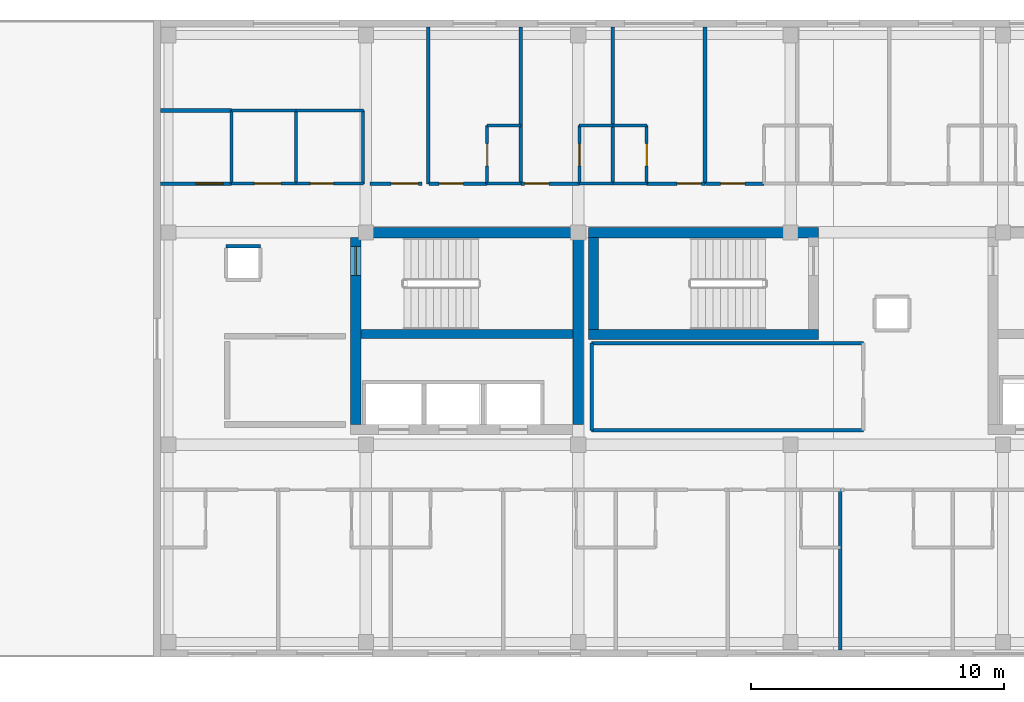
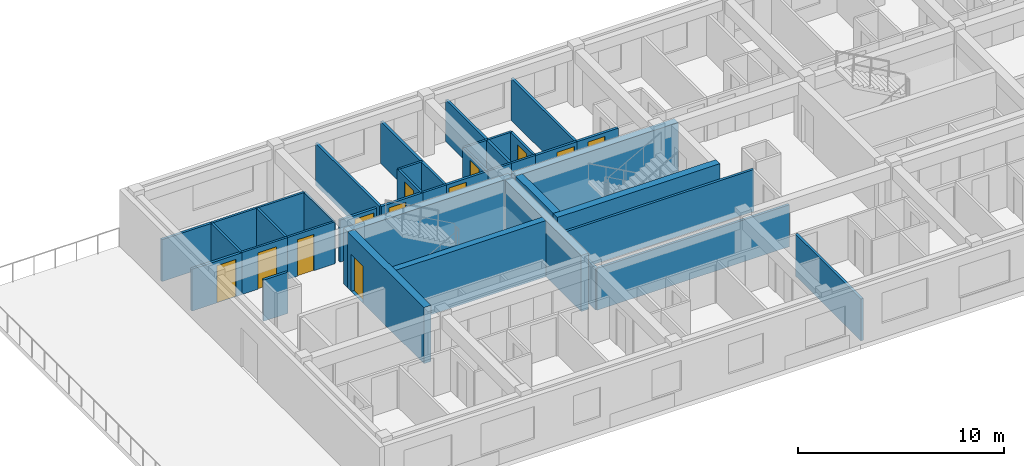
# One storey, part 3 of 10: 39 walls, 12 doors, 12 openings.
"""IFC4 building model written with IfcOpenShell, lengths in metres."""

from ifc_helpers import new_model, si_unit, direction, frame, frame_2d, origin, place, context, subcontext, project, spatial, rectangle, extrude, material, layer, layer_set, type_object, element, fill, save


model = new_model("IFC4")

# Units and contexts
model_context = context("Model", 3, precision=1e-05, world=origin(), true_north=direction((0.0, 1.0)))
body_context = subcontext(model_context, "Body", "Model", "MODEL_VIEW")
ifc_project = project(units=[si_unit("LENGTHUNIT", "METRE"), si_unit("AREAUNIT", "SQUARE_METRE"), si_unit("VOLUMEUNIT", "CUBIC_METRE"), si_unit("PLANEANGLEUNIT", "RADIAN"), si_unit("MASSUNIT", "GRAM", prefix="KILO")], contexts=[model_context])

# Site, building, storey
site_placement = place(None, origin())
site = spatial("IfcSite", under=ifc_project, at=site_placement, CompositionType="ELEMENT")
building_placement = place(site_placement, origin())
building = spatial("IfcBuilding", under=site, at=building_placement, Name="Zayran Congress Hotel", CompositionType="ELEMENT")
storey_placement = place(building_placement, frame((0.0, 0.0, 33.60009765625)))
storey = spatial("IfcBuildingStorey", under=building, at=storey_placement, Name="L08", CompositionType="ELEMENT", Elevation=33.60009765625)

# Wall
ifc_material_1 = material(Name="Concrete C40/50", Category="concrete")
ifc_layer_1 = layer(ifc_material_1, 0.39990234375)
ifc_layer_set_1 = layer_set([ifc_layer_1], Name="Concrete C40/50")
wall_type_1 = type_object("IfcWallType", Name="WL-SH-400", PredefinedType="SHEAR", material=ifc_layer_set_1)
wall_1_placement = place(storey_placement, frame((33.800048828125, 25.5849609375, 0.0), z_axis=(0.0, 0.0, 1.0), x_axis=(-1.0, 0.0, 0.0)))
element("IfcWall", 1, at=wall_1_placement, inside=storey, type_object=wall_type_1, Name="CWALL-C-V5W-L08-N", PredefinedType="SHEAR", context=body_context, shape_type="SweptSolid", body=[
    extrude(rectangle(XDim=9.199951171875, YDim=0.39990234375, at=frame_2d((4.60009765625, 0.0))), origin(), (0.0, 0.0, 1.0), 3.31982421875),
])

# Wall, opening, door
wall_2_placement = place(storey_placement, frame((24.800048828125, 25.39990234375, 0.0), z_axis=(0.0, 0.0, 1.0), x_axis=(0.0, -1.0, 0.0)))
wall_2 = element("IfcWall", 2, at=wall_2_placement, inside=storey, type_object=wall_type_1, Name="CWALL-C-V5W-L08-W", PredefinedType="SHEAR", context=body_context, shape_type="SweptSolid", body=[
    extrude(rectangle(XDim=7.39990234375, YDim=0.39990234375, at=frame_2d((3.699951171875, 0.0))), origin(), (0.0, 0.0, 1.0), 3.31982421875),
])
opening_1_placement = place(wall_2_placement, frame((0.35009765625, 0.0, 0.0)))
opening_1 = element("IfcOpeningElement", 3, at=opening_1_placement, cuts=wall_2, Name="Opening DR-FD-90", PredefinedType="OPENING", context=body_context, shape_type="SweptSolid", body=[
    extrude(rectangle(XDim=1.14990234375, YDim=2.199951171875, at=frame_2d((0.574951171875, 1.10009765625))), frame((0.0, 0.2099609375, 0.0), z_axis=(0.0, -1.0, 0.0), x_axis=(1.0, 0.0, 0.0)), (0.0, 0.0, 1.0), 0.419921875),
])
ifc_material_2 = material(Name="Painted steel fire door assembly", Category="steel")
door_type_1 = type_object("IfcDoorType", Name="TP-DR-FD-90", OperationType="NOTDEFINED", PredefinedType="DOOR", material=ifc_material_2)
door_1_placement = place(opening_1_placement, origin())
door_1 = element("IfcDoor", 4, at=door_1_placement, inside=storey, type_object=door_type_1, Name="ST-01 Exit Stair Door L08", OperationType="SINGLE_SWING_LEFT", OverallHeight=2.199951171875, OverallWidth=1.14990234375, PredefinedType="DOOR", context=body_context, shape_type="SweptSolid", body=[
    extrude(rectangle(XDim=1.14990234375, YDim=2.199951171875, at=frame_2d((0.574951171875, 1.10009765625))), frame((0.0, 0.02490234375, 0.0), z_axis=(0.0, -1.0, 0.0), x_axis=(1.0, 0.0, 0.0)), (0.0, 0.0, 1.0), 0.050048828125),
])
fill(opening_1, door_1)

# Walls
wall_3_placement = place(storey_placement, frame((33.60009765625, 18.0, 0.0), z_axis=(0.0, 0.0, 1.0), x_axis=(0.0, 1.0, 0.0)))
element("IfcWall", 5, at=wall_3_placement, inside=storey, type_object=wall_type_1, Name="CWALL-C-V5W-L08-E", PredefinedType="SHEAR", context=body_context, shape_type="SweptSolid", body=[
    extrude(rectangle(XDim=7.39990234375, YDim=0.39990234375, at=frame_2d((3.699951171875, 0.0))), origin(), (0.0, 0.0, 1.0), 3.31982421875),
])
for number, where, z_axis, x_axis, name in (
    (6, (34.0, 21.56005859375, 0.0), (0.0, 0.0, 1.0), (1.0, 0.0, 0.0), "CWALL-C-V5M-L08-S"),
    (7, (43.10009765625, 25.5849609375, 0.0), (0.0, 0.0, 1.0), (-1.0, 0.0, 0.0), "CWALL-C-V5M-L08-N"),
):
    element("IfcWall", number, at=place(storey_placement, frame(where, z_axis=z_axis, x_axis=x_axis)), inside=storey, type_object=wall_type_1, Name=name, PredefinedType="SHEAR", context=body_context, shape_type="SweptSolid", body=[
        extrude(rectangle(XDim=9.10009765625, YDim=0.39990234375, at=frame_2d((4.550048828125, 0.0))), origin(), (0.0, 0.0, 1.0), 3.31982421875),
    ])
wall_4_placement = place(storey_placement, frame((34.199951171875, 25.39990234375, 0.0), z_axis=(0.0, 0.0, 1.0), x_axis=(0.0, -1.0, 0.0)))
element("IfcWall", 8, at=wall_4_placement, inside=storey, type_object=wall_type_1, Name="CWALL-C-V5M-L08-W", PredefinedType="SHEAR", context=body_context, shape_type="SweptSolid", body=[
    extrude(rectangle(XDim=3.639892578125, YDim=0.39990234375, at=frame_2d((1.81982421875, 0.0))), origin(), (0.0, 0.0, 1.0), 3.31982421875),
])
ifc_layer_2 = layer(ifc_material_1, 0.35009765625)
ifc_layer_set_2 = layer_set([ifc_layer_2], Name="Concrete C40/50")
wall_type_2 = type_object("IfcWallType", Name="WL-SH-350", PredefinedType="SHEAR", material=ifc_layer_set_2)
wall_5_placement = place(storey_placement, frame((25.0, 21.5849609375, 0.0), z_axis=(0.0, 0.0, 1.0), x_axis=(1.0, 0.0, 0.0)))
element("IfcWall", 9, at=wall_5_placement, inside=storey, type_object=wall_type_2, Name="CWALL-C-V5W-L08-SPN", PredefinedType="SHEAR", context=body_context, shape_type="SweptSolid", body=[
    extrude(rectangle(XDim=8.39990234375, YDim=0.35009765625, at=frame_2d((4.199951171875, 0.0))), origin(), (0.0, 0.0, 1.0), 3.31982421875),
])

# Wall, opening, door
ifc_material_3 = material(Name="Hospitality guestroom acoustic partition", Category="gypsum")
ifc_layer_3 = layer(ifc_material_3, 0.139892578125)
ifc_layer_set_3 = layer_set([ifc_layer_3], Name="Hospitality guestroom acoustic partition")
wall_type_3 = type_object("IfcWallType", Name="WL-PT-140", PredefinedType="PARTITIONING", material=ifc_layer_set_3)
wall_6_placement = place(storey_placement, frame((17.080078125, 27.530029296875, 0.0), z_axis=(0.0, 0.0, 1.0), x_axis=(1.0, 0.0, 0.0)))
wall_6 = element("IfcWall", 10, at=wall_6_placement, inside=storey, type_object=wall_type_3, Name="IW-L08-0769", PredefinedType="PARTITIONING", context=body_context, shape_type="SweptSolid", body=[
    extrude(rectangle(XDim=2.7998046875, YDim=0.139892578125, at=frame_2d((1.39990234375, 0.0))), origin(), (0.0, 0.0, 1.0), 2.47998046875),
])
opening_2_placement = place(wall_6_placement, frame((1.409912109375, 0.0, 0.0)))
opening_2 = element("IfcOpeningElement", 11, at=opening_2_placement, cuts=wall_6, Name="Opening DR-PL-02", PredefinedType="OPENING", context=body_context, shape_type="SweptSolid", body=[
    extrude(rectangle(XDim=1.06005859375, YDim=2.199951171875, at=frame_2d((0.530029296875, 1.10009765625))), frame((0.0, 0.079833984375, 0.0), z_axis=(0.0, -1.0, 0.0), x_axis=(1.0, 0.0, 0.0)), (0.0, 0.0, 1.0), 0.159912109375),
])
ifc_material_4 = material(Name="Painted steel store room fire door", Category="steel")
door_type_2 = type_object("IfcDoorType", Name="TP-DR-PL-02", OperationType="NOTDEFINED", PredefinedType="DOOR", material=ifc_material_4)
door_2_placement = place(opening_2_placement, origin())
door_2 = element("IfcDoor", 12, at=door_2_placement, inside=storey, type_object=door_type_2, Name="Housekeeping and Linen Store L08 Door", OperationType="SINGLE_SWING_RIGHT", OverallHeight=2.199951171875, OverallWidth=1.06005859375, PredefinedType="DOOR", context=body_context, shape_type="SweptSolid", body=[
    extrude(rectangle(XDim=1.06005859375, YDim=2.199951171875, at=frame_2d((0.530029296875, 1.10009765625))), frame((0.0, 0.02490234375, 0.0), z_axis=(0.0, -1.0, 0.0), x_axis=(1.0, 0.0, 0.0)), (0.0, 0.0, 1.0), 0.050048828125),
])
fill(opening_2, door_2)

wall_7_placement = place(storey_placement, frame((25.360107421875, 27.530029296875, 0.0), z_axis=(0.0, 0.0, 1.0), x_axis=(1.0, 0.0, 0.0)))
wall_7 = element("IfcWall", 13, at=wall_7_placement, inside=storey, type_object=wall_type_3, Name="IW-L08-0770", PredefinedType="PARTITIONING", context=body_context, shape_type="SweptSolid", body=[
    extrude(rectangle(XDim=2.059814453125, YDim=0.139892578125, at=frame_2d((1.02978515625, 0.0))), origin(), (0.0, 0.0, 1.0), 2.47998046875),
])
opening_3_placement = place(wall_7_placement, frame((0.840087890625, 0.0, 0.0)))
opening_3 = element("IfcOpeningElement", 14, at=opening_3_placement, cuts=wall_7, Name="Opening DR-MT-01", PredefinedType="OPENING", context=body_context, shape_type="SweptSolid", body=[
    extrude(rectangle(XDim=1.080078125, YDim=2.25, at=frame_2d((0.5400390625, 1.125))), frame((0.0, 0.079833984375, 0.0), z_axis=(0.0, -1.0, 0.0), x_axis=(1.0, 0.0, 0.0)), (0.0, 0.0, 1.0), 0.159912109375),
])
ifc_material_5 = material(Name="Acoustic timber seminar room door", Category="wood")
door_type_3 = type_object("IfcDoorType", Name="TP-DR-MT-01", OperationType="NOTDEFINED", PredefinedType="DOOR", material=ifc_material_5)
door_3_placement = place(opening_3_placement, origin())
door_3 = element("IfcDoor", 15, at=door_3_placement, inside=storey, type_object=door_type_3, Name="West Terrace Wellness Lounge L08 Door", OperationType="SINGLE_SWING_LEFT", OverallHeight=2.25, OverallWidth=1.080078125, PredefinedType="DOOR", context=body_context, shape_type="SweptSolid", body=[
    extrude(rectangle(XDim=1.080078125, YDim=2.25, at=frame_2d((0.5400390625, 1.125))), frame((0.0, 0.02490234375, 0.0), z_axis=(0.0, -1.0, 0.0), x_axis=(1.0, 0.0, 0.0)), (0.0, 0.0, 1.0), 0.050048828125),
])
fill(opening_3, door_3)

wall_8_placement = place(storey_placement, frame((27.68994140625, 27.530029296875, 0.0), z_axis=(0.0, 0.0, 1.0), x_axis=(1.0, 0.0, 0.0)))
wall_8 = element("IfcWall", 16, at=wall_8_placement, inside=storey, type_object=wall_type_3, Name="IW-L08-0771", PredefinedType="PARTITIONING", context=body_context, shape_type="SweptSolid", body=[
    extrude(rectangle(XDim=2.30810546875, YDim=0.139892578125, at=frame_2d((1.154052734375, 0.0))), origin(), (0.0, 0.0, 1.0), 2.47998046875),
])
opening_4_placement = place(wall_8_placement, frame((0.406982421875, 0.0, 0.0)))
opening_4 = element("IfcOpeningElement", 17, at=opening_4_placement, cuts=wall_8, Name="Opening DR-GR-03", PredefinedType="OPENING", context=body_context, shape_type="SweptSolid", body=[
    extrude(rectangle(XDim=0.9599609375, YDim=2.25, at=frame_2d((0.47998046875, 1.125))), frame((0.0, 0.079833984375, 0.0), z_axis=(0.0, -1.0, 0.0), x_axis=(1.0, 0.0, 0.0)), (0.0, 0.0, 1.0), 0.159912109375),
])
ifc_material_6 = material(Name="Executive walnut veneer entry door", Category="wood")
door_type_4 = type_object("IfcDoorType", Name="TP-DR-GR-03", OperationType="NOTDEFINED", PredefinedType="DOOR", material=ifc_material_6)
door_4_placement = place(opening_4_placement, origin())
door_4 = element("IfcDoor", 18, at=door_4_placement, inside=storey, type_object=door_type_4, Name="Guest Room L08-14 Door", OperationType="SINGLE_SWING_RIGHT", OverallHeight=2.25, OverallWidth=0.9599609375, PredefinedType="DOOR", context=body_context, shape_type="SweptSolid", body=[
    extrude(rectangle(XDim=0.9599609375, YDim=2.25, at=frame_2d((0.47998046875, 1.125))), frame((0.0, 0.02490234375, 0.0), z_axis=(0.0, -1.0, 0.0), x_axis=(1.0, 0.0, 0.0)), (0.0, 0.0, 1.0), 0.050048828125),
])
fill(opening_4, door_4)

wall_9_placement = place(storey_placement, frame((31.337890625, 27.530029296875, 0.0), z_axis=(0.0, 0.0, 1.0), x_axis=(1.0, 0.0, 0.0)))
wall_9 = element("IfcWall", 19, at=wall_9_placement, inside=storey, type_object=wall_type_3, Name="IW-L08-0772", PredefinedType="PARTITIONING", context=body_context, shape_type="SweptSolid", body=[
    extrude(rectangle(XDim=2.30712890625, YDim=0.139892578125, at=frame_2d((1.153564453125, 0.0))), origin(), (0.0, 0.0, 1.0), 2.47998046875),
])
opening_5_placement = place(wall_9_placement, frame((0.139892578125, 0.0, 0.0)))
opening_5 = element("IfcOpeningElement", 20, at=opening_5_placement, cuts=wall_9, Name="Opening DR-GR-03", PredefinedType="OPENING", context=body_context, shape_type="SweptSolid", body=[
    extrude(rectangle(XDim=0.9599609375, YDim=2.25, at=frame_2d((0.47998046875, 1.125))), frame((0.0, 0.079833984375, 0.0), z_axis=(0.0, -1.0, 0.0), x_axis=(1.0, 0.0, 0.0)), (0.0, 0.0, 1.0), 0.159912109375),
])
door_5_placement = place(opening_5_placement, origin())
door_5 = element("IfcDoor", 21, at=door_5_placement, inside=storey, type_object=door_type_4, Name="Guest Room L08-15 Door", OperationType="SINGLE_SWING_LEFT", OverallHeight=2.25, OverallWidth=0.9599609375, PredefinedType="DOOR", context=body_context, shape_type="SweptSolid", body=[
    extrude(rectangle(XDim=0.9599609375, YDim=2.25, at=frame_2d((0.47998046875, 1.125))), frame((0.0, 0.02490234375, 0.0), z_axis=(0.0, -1.0, 0.0), x_axis=(1.0, 0.0, 0.0)), (0.0, 0.0, 1.0), 0.050048828125),
])
fill(opening_5, door_5)

wall_10_placement = place(storey_placement, frame((36.304931640625, 27.530029296875, 0.0), z_axis=(0.0, 0.0, 1.0), x_axis=(1.0, 0.0, 0.0)))
wall_10 = element("IfcWall", 22, at=wall_10_placement, inside=storey, type_object=wall_type_3, Name="IW-L08-0773", PredefinedType="PARTITIONING", context=body_context, shape_type="SweptSolid", body=[
    extrude(rectangle(XDim=2.30810546875, YDim=0.139892578125, at=frame_2d((1.154052734375, 0.0))), origin(), (0.0, 0.0, 1.0), 2.47998046875),
])
opening_6_placement = place(wall_10_placement, frame((1.2080078125, 0.0, 0.0)))
opening_6 = element("IfcOpeningElement", 23, at=opening_6_placement, cuts=wall_10, Name="Opening DR-GR-03", PredefinedType="OPENING", context=body_context, shape_type="SweptSolid", body=[
    extrude(rectangle(XDim=0.9599609375, YDim=2.25, at=frame_2d((0.47998046875, 1.125))), frame((0.0, 0.079833984375, 0.0), z_axis=(0.0, -1.0, 0.0), x_axis=(1.0, 0.0, 0.0)), (0.0, 0.0, 1.0), 0.159912109375),
])
door_6_placement = place(opening_6_placement, origin())
door_6 = element("IfcDoor", 24, at=door_6_placement, inside=storey, type_object=door_type_4, Name="Guest Room L08-16 Door", OperationType="SINGLE_SWING_RIGHT", OverallHeight=2.25, OverallWidth=0.9599609375, PredefinedType="DOOR", context=body_context, shape_type="SweptSolid", body=[
    extrude(rectangle(XDim=0.9599609375, YDim=2.25, at=frame_2d((0.47998046875, 1.125))), frame((0.0, 0.02490234375, 0.0), z_axis=(0.0, -1.0, 0.0), x_axis=(1.0, 0.0, 0.0)), (0.0, 0.0, 1.0), 0.050048828125),
])
fill(opening_6, door_6)

wall_11_placement = place(storey_placement, frame((38.633056640625, 27.530029296875, 0.0), z_axis=(0.0, 0.0, 1.0), x_axis=(1.0, 0.0, 0.0)))
wall_11 = element("IfcWall", 25, at=wall_11_placement, inside=storey, type_object=wall_type_3, Name="IW-L08-0774", PredefinedType="PARTITIONING", context=body_context, shape_type="SweptSolid", body=[
    extrude(rectangle(XDim=2.307861328125, YDim=0.139892578125, at=frame_2d((1.15380859375, 0.0))), origin(), (0.0, 0.0, 1.0), 2.47998046875),
])
opening_7_placement = place(wall_11_placement, frame((0.597900390625, 0.0, 0.0)))
opening_7 = element("IfcOpeningElement", 26, at=opening_7_placement, cuts=wall_11, Name="Opening DR-GR-03", PredefinedType="OPENING", context=body_context, shape_type="SweptSolid", body=[
    extrude(rectangle(XDim=0.9599609375, YDim=2.25, at=frame_2d((0.47998046875, 1.125))), frame((0.0, 0.079833984375, 0.0), z_axis=(0.0, -1.0, 0.0), x_axis=(1.0, 0.0, 0.0)), (0.0, 0.0, 1.0), 0.159912109375),
])
door_7_placement = place(opening_7_placement, origin())
door_7 = element("IfcDoor", 27, at=door_7_placement, inside=storey, type_object=door_type_4, Name="Guest Room L08-17 Door", OperationType="SINGLE_SWING_LEFT", OverallHeight=2.25, OverallWidth=0.9599609375, PredefinedType="DOOR", context=body_context, shape_type="SweptSolid", body=[
    extrude(rectangle(XDim=0.9599609375, YDim=2.25, at=frame_2d((0.47998046875, 1.125))), frame((0.0, 0.02490234375, 0.0), z_axis=(0.0, -1.0, 0.0), x_axis=(1.0, 0.0, 0.0)), (0.0, 0.0, 1.0), 0.050048828125),
])
fill(opening_7, door_7)

# Walls
for number, where, z_axis, x_axis, name in (
    (28, (34.1201171875, 17.780029296875, 0.0), (0.0, 0.0, 1.0), (1.0, 0.0, 0.0), "IW-L08-2086"),
    (29, (34.1201171875, 21.219970703125, 0.0), (0.0, 0.0, 1.0), (1.0, 0.0, 0.0), "IW-L08-2087"),
):
    element("IfcWall", number, at=place(storey_placement, frame(where, z_axis=z_axis, x_axis=x_axis)), inside=storey, type_object=wall_type_3, Name=name, PredefinedType="PARTITIONING", context=body_context, shape_type="SweptSolid", body=[
        extrude(rectangle(XDim=10.759765625, YDim=0.139892578125, at=frame_2d((5.3798828125, 0.0))), origin(), (0.0, 0.0, 1.0), 2.47998046875),
    ])
wall_12_placement = place(storey_placement, frame((34.1298828125, 17.77001953125, 0.0), z_axis=(0.0, 0.0, 1.0), x_axis=(0.0, 1.0, 0.0)))
element("IfcWall", 30, at=wall_12_placement, inside=storey, type_object=wall_type_3, Name="IW-L08-2088", PredefinedType="PARTITIONING", context=body_context, shape_type="SweptSolid", body=[
    extrude(rectangle(XDim=3.4599609375, YDim=0.139892578125, at=frame_2d((1.72998046875, 0.0))), origin(), (0.0, 0.0, 1.0), 2.47998046875),
])
wall_13_placement = place(storey_placement, frame((43.967041015625, 9.080078125, 0.0), z_axis=(0.0, 0.0, 1.0), x_axis=(0.0, 1.0, 0.0)))
element("IfcWall", 31, at=wall_13_placement, inside=storey, type_object=wall_type_3, Name="IW-L08-2096", PredefinedType="PARTITIONING", context=body_context, shape_type="SweptSolid", body=[
    extrude(rectangle(XDim=6.349853515625, YDim=0.139892578125, at=frame_2d((3.1748046875, 0.0))), origin(), (0.0, 0.0, 1.0), 2.47998046875),
])
wall_14_placement = place(storey_placement, frame((17.080078125, 30.419921875, 0.0), z_axis=(0.0, 0.0, 1.0), x_axis=(1.0, 0.0, 0.0)))
element("IfcWall", 32, at=wall_14_placement, inside=storey, type_object=wall_type_3, Name="IW-L08-2103", PredefinedType="PARTITIONING", context=body_context, shape_type="SweptSolid", body=[
    extrude(rectangle(XDim=2.7998046875, YDim=0.139892578125, at=frame_2d((1.39990234375, 0.0))), origin(), (0.0, 0.0, 1.0), 2.47998046875),
])
for number, where, z_axis, x_axis, name in (
    (33, (27.669921875, 27.52001953125, 0.0), (0.0, 0.0, 1.0), (0.0, 1.0, 0.0), "IW-L08-2104"),
    (34, (31.318115234375, 27.52001953125, 0.0), (0.0, 0.0, 1.0), (0.0, 1.0, 0.0), "IW-L08-2105"),
    (35, (34.965087890625, 27.52001953125, 0.0), (0.0, 0.0, 1.0), (0.0, 1.0, 0.0), "IW-L08-2106"),
    (36, (38.613037109375, 27.52001953125, 0.0), (0.0, 0.0, 1.0), (0.0, 1.0, 0.0), "IW-L08-2107"),
):
    element("IfcWall", number, at=place(storey_placement, frame(where, z_axis=z_axis, x_axis=x_axis)), inside=storey, type_object=wall_type_3, Name=name, PredefinedType="PARTITIONING", context=body_context, shape_type="SweptSolid", body=[
        extrude(rectangle(XDim=6.199951171875, YDim=0.139892578125, at=frame_2d((3.10009765625, 0.0))), origin(), (0.0, 0.0, 1.0), 2.47998046875),
    ])
wall_15_placement = place(storey_placement, frame((21.030029296875, 25.050048828125, 0.0), z_axis=(0.0, 0.0, 1.0), x_axis=(-1.0, 0.0, 0.0)))
element("IfcWall", 37, at=wall_15_placement, inside=storey, type_object=wall_type_3, Name="RSWL-V5-L08-047-N", PredefinedType="PARTITIONING", context=body_context, shape_type="SweptSolid", body=[
    extrude(rectangle(XDim=1.360107421875, YDim=0.139892578125, at=frame_2d((0.68017578125, 0.0))), origin(), (0.0, 0.0, 1.0), 2.43994140625),
])

# Wall, opening, door
ifc_material_7 = material(Name="Moisture-resistant bathroom partition", Category="gypsum")
ifc_layer_4 = layer(ifc_material_7, 0.1201171875)
ifc_layer_set_4 = layer_set([ifc_layer_4], Name="Moisture-resistant bathroom partition")
wall_type_4 = type_object("IfcWallType", Name="WL-PT-120", PredefinedType="PARTITIONING", material=ifc_layer_set_4)
wall_16_placement = place(storey_placement, frame((29.998046875, 27.52001953125, 0.0), z_axis=(0.0, 0.0, 1.0), x_axis=(0.0, 1.0, 0.0)))
wall_16 = element("IfcWall", 38, at=wall_16_placement, inside=storey, type_object=wall_type_4, Name="IW-L08-0258", PredefinedType="PARTITIONING", context=body_context, shape_type="SweptSolid", body=[
    extrude(rectangle(XDim=2.31005859375, YDim=0.1201171875, at=frame_2d((1.155029296875, 0.0))), origin(), (0.0, 0.0, 1.0), 2.47998046875),
])
opening_8_placement = place(wall_16_placement, frame((0.715087890625, 0.0, 0.0)))
opening_8 = element("IfcOpeningElement", 39, at=opening_8_placement, cuts=wall_16, Name="Opening DR-BT-01", PredefinedType="OPENING", context=body_context, shape_type="SweptSolid", body=[
    extrude(rectangle(XDim=0.8798828125, YDim=2.14990234375, at=frame_2d((0.43994140625, 1.074951171875))), frame((0.0, 0.070068359375, 0.0), z_axis=(0.0, -1.0, 0.0), x_axis=(1.0, 0.0, 0.0)), (0.0, 0.0, 1.0), 0.14013671875),
])
ifc_material_8 = material(Name="Moisture-resistant oak en-suite door", Category="wood")
door_type_5 = type_object("IfcDoorType", Name="TP-DR-BT-01", OperationType="NOTDEFINED", PredefinedType="DOOR", material=ifc_material_8)
door_8_placement = place(opening_8_placement, origin())
door_8 = element("IfcDoor", 40, at=door_8_placement, inside=storey, type_object=door_type_5, Name="En-Suite Bathroom L08-14 Door", OperationType="SINGLE_SWING_LEFT", OverallHeight=2.14990234375, OverallWidth=0.8798828125, PredefinedType="DOOR", context=body_context, shape_type="SweptSolid", body=[
    extrude(rectangle(XDim=0.8798828125, YDim=2.14990234375, at=frame_2d((0.43994140625, 1.074951171875))), frame((0.0, 0.02490234375, 0.0), z_axis=(0.0, -1.0, 0.0), x_axis=(1.0, 0.0, 0.0)), (0.0, 0.0, 1.0), 0.050048828125),
])
fill(opening_8, door_8)

wall_17_placement = place(storey_placement, frame((33.64501953125, 27.52001953125, 0.0), z_axis=(0.0, 0.0, 1.0), x_axis=(0.0, 1.0, 0.0)))
wall_17 = element("IfcWall", 41, at=wall_17_placement, inside=storey, type_object=wall_type_4, Name="IW-L08-0259", PredefinedType="PARTITIONING", context=body_context, shape_type="SweptSolid", body=[
    extrude(rectangle(XDim=2.31005859375, YDim=0.1201171875, at=frame_2d((1.155029296875, 0.0))), origin(), (0.0, 0.0, 1.0), 2.47998046875),
])
opening_9_placement = place(wall_17_placement, frame((0.715087890625, 0.0, 0.0)))
opening_9 = element("IfcOpeningElement", 42, at=opening_9_placement, cuts=wall_17, Name="Opening DR-BT-01", PredefinedType="OPENING", context=body_context, shape_type="SweptSolid", body=[
    extrude(rectangle(XDim=0.8798828125, YDim=2.14990234375, at=frame_2d((0.43994140625, 1.074951171875))), frame((0.0, 0.070068359375, 0.0), z_axis=(0.0, -1.0, 0.0), x_axis=(1.0, 0.0, 0.0)), (0.0, 0.0, 1.0), 0.14013671875),
])
door_9_placement = place(opening_9_placement, origin())
door_9 = element("IfcDoor", 43, at=door_9_placement, inside=storey, type_object=door_type_5, Name="En-Suite Bathroom L08-15 Door", OperationType="SINGLE_SWING_RIGHT", OverallHeight=2.14990234375, OverallWidth=0.8798828125, PredefinedType="DOOR", context=body_context, shape_type="SweptSolid", body=[
    extrude(rectangle(XDim=0.8798828125, YDim=2.14990234375, at=frame_2d((0.43994140625, 1.074951171875))), frame((0.0, 0.02490234375, 0.0), z_axis=(0.0, -1.0, 0.0), x_axis=(1.0, 0.0, 0.0)), (0.0, 0.0, 1.0), 0.050048828125),
])
fill(opening_9, door_9)

wall_18_placement = place(storey_placement, frame((36.304931640625, 27.52001953125, 0.0), z_axis=(0.0, 0.0, 1.0), x_axis=(0.0, 1.0, 0.0)))
wall_18 = element("IfcWall", 44, at=wall_18_placement, inside=storey, type_object=wall_type_4, Name="IW-L08-0260", PredefinedType="PARTITIONING", context=body_context, shape_type="SweptSolid", body=[
    extrude(rectangle(XDim=2.31005859375, YDim=0.1201171875, at=frame_2d((1.155029296875, 0.0))), origin(), (0.0, 0.0, 1.0), 2.47998046875),
])
opening_10_placement = place(wall_18_placement, frame((0.715087890625, 0.0, 0.0)))
opening_10 = element("IfcOpeningElement", 45, at=opening_10_placement, cuts=wall_18, Name="Opening DR-BT-01", PredefinedType="OPENING", context=body_context, shape_type="SweptSolid", body=[
    extrude(rectangle(XDim=0.8798828125, YDim=2.14990234375, at=frame_2d((0.43994140625, 1.074951171875))), frame((0.0, 0.070068359375, 0.0), z_axis=(0.0, -1.0, 0.0), x_axis=(1.0, 0.0, 0.0)), (0.0, 0.0, 1.0), 0.14013671875),
])
door_10_placement = place(opening_10_placement, origin())
door_10 = element("IfcDoor", 46, at=door_10_placement, inside=storey, type_object=door_type_5, Name="En-Suite Bathroom L08-16 Door", OperationType="SINGLE_SWING_LEFT", OverallHeight=2.14990234375, OverallWidth=0.8798828125, PredefinedType="DOOR", context=body_context, shape_type="SweptSolid", body=[
    extrude(rectangle(XDim=0.8798828125, YDim=2.14990234375, at=frame_2d((0.43994140625, 1.074951171875))), frame((0.0, 0.02490234375, 0.0), z_axis=(0.0, -1.0, 0.0), x_axis=(1.0, 0.0, 0.0)), (0.0, 0.0, 1.0), 0.050048828125),
])
fill(opening_10, door_10)

wall_19_placement = place(storey_placement, frame((19.8798828125, 27.530029296875, 0.0), z_axis=(0.0, 0.0, 1.0), x_axis=(1.0, 0.0, 0.0)))
wall_19 = element("IfcWall", 47, at=wall_19_placement, inside=storey, type_object=wall_type_4, Name="IW-L08-0371", PredefinedType="PARTITIONING", context=body_context, shape_type="SweptSolid", body=[
    extrude(rectangle(XDim=2.56005859375, YDim=0.1201171875, at=frame_2d((1.280029296875, 0.0))), origin(), (0.0, 0.0, 1.0), 2.47998046875),
])
opening_11_placement = place(wall_19_placement, frame((0.9140625, 0.0, 0.0)))
opening_11 = element("IfcOpeningElement", 48, at=opening_11_placement, cuts=wall_19, Name="Opening DR-WC-02", PredefinedType="OPENING", context=body_context, shape_type="SweptSolid", body=[
    extrude(rectangle(XDim=1.0400390625, YDim=2.14990234375, at=frame_2d((0.52001953125, 1.074951171875))), frame((0.0, 0.070068359375, 0.0), z_axis=(0.0, -1.0, 0.0), x_axis=(1.0, 0.0, 0.0)), (0.0, 0.0, 1.0), 0.14013671875),
])
ifc_material_9 = material(Name="Accessible public washroom door", Category="steel")
door_type_6 = type_object("IfcDoorType", Name="TP-DR-WC-02", OperationType="NOTDEFINED", PredefinedType="DOOR", material=ifc_material_9)
door_11_placement = place(opening_11_placement, origin())
door_11 = element("IfcDoor", 49, at=door_11_placement, inside=storey, type_object=door_type_6, Name="Accessible WC L08 Door", OperationType="SINGLE_SWING_RIGHT", OverallHeight=2.14990234375, OverallWidth=1.0400390625, PredefinedType="DOOR", context=body_context, shape_type="SweptSolid", body=[
    extrude(rectangle(XDim=1.0400390625, YDim=2.14990234375, at=frame_2d((0.52001953125, 1.074951171875))), frame((0.0, 0.02490234375, 0.0), z_axis=(0.0, -1.0, 0.0), x_axis=(1.0, 0.0, 0.0)), (0.0, 0.0, 1.0), 0.050048828125),
])
fill(opening_11, door_11)

wall_20_placement = place(storey_placement, frame((22.43994140625, 27.530029296875, 0.0), z_axis=(0.0, 0.0, 1.0), x_axis=(1.0, 0.0, 0.0)))
wall_20 = element("IfcWall", 50, at=wall_20_placement, inside=storey, type_object=wall_type_4, Name="IW-L08-0372", PredefinedType="PARTITIONING", context=body_context, shape_type="SweptSolid", body=[
    extrude(rectangle(XDim=2.66015625, YDim=0.1201171875, at=frame_2d((1.330078125, 0.0))), origin(), (0.0, 0.0, 1.0), 2.47998046875),
])
opening_12_placement = place(wall_20_placement, frame((0.56103515625, 0.0, 0.0)))
opening_12 = element("IfcOpeningElement", 51, at=opening_12_placement, cuts=wall_20, Name="Opening DR-WC-01", PredefinedType="OPENING", context=body_context, shape_type="SweptSolid", body=[
    extrude(rectangle(XDim=0.919921875, YDim=2.14990234375, at=frame_2d((0.4599609375, 1.074951171875))), frame((0.0, 0.070068359375, 0.0), z_axis=(0.0, -1.0, 0.0), x_axis=(1.0, 0.0, 0.0)), (0.0, 0.0, 1.0), 0.14013671875),
])
ifc_material_10 = material(Name="Laminated timber public washroom door", Category="wood")
door_type_7 = type_object("IfcDoorType", Name="TP-DR-WC-01", OperationType="NOTDEFINED", PredefinedType="DOOR", material=ifc_material_10)
door_12_placement = place(opening_12_placement, origin())
door_12 = element("IfcDoor", 52, at=door_12_placement, inside=storey, type_object=door_type_7, Name="Public WC L08 Door", OperationType="SINGLE_SWING_LEFT", OverallHeight=2.14990234375, OverallWidth=0.919921875, PredefinedType="DOOR", context=body_context, shape_type="SweptSolid", body=[
    extrude(rectangle(XDim=0.919921875, YDim=2.14990234375, at=frame_2d((0.4599609375, 1.074951171875))), frame((0.0, 0.02490234375, 0.0), z_axis=(0.0, -1.0, 0.0), x_axis=(1.0, 0.0, 0.0)), (0.0, 0.0, 1.0), 0.050048828125),
])
fill(opening_12, door_12)

# Walls
for number, where, z_axis, x_axis, name in (
    (53, (29.988037109375, 27.530029296875, 0.0), (0.0, 0.0, 1.0), (1.0, 0.0, 0.0), "IW-L08-1383"),
    (54, (29.988037109375, 29.820068359375, 0.0), (0.0, 0.0, 1.0), (1.0, 0.0, 0.0), "IW-L08-1384"),
):
    element("IfcWall", number, at=place(storey_placement, frame(where, z_axis=z_axis, x_axis=x_axis)), inside=storey, type_object=wall_type_4, Name=name, PredefinedType="PARTITIONING", context=body_context, shape_type="SweptSolid", body=[
        extrude(rectangle(XDim=1.33984375, YDim=0.1201171875, at=frame_2d((0.669921875, 0.0))), origin(), (0.0, 0.0, 1.0), 2.47998046875),
    ])
wall_21_placement = place(storey_placement, frame((33.64501953125, 27.530029296875, 0.0), z_axis=(0.0, 0.0, 1.0), x_axis=(1.0, 0.0, 0.0)))
element("IfcWall", 55, at=wall_21_placement, inside=storey, type_object=wall_type_4, Name="IW-L08-1385", PredefinedType="PARTITIONING", context=body_context, shape_type="SweptSolid", body=[
    extrude(rectangle(XDim=1.330078125, YDim=0.1201171875, at=frame_2d((0.6650390625, 0.0))), origin(), (0.0, 0.0, 1.0), 2.47998046875),
])
wall_22_placement = place(storey_placement, frame((33.635009765625, 29.820068359375, 0.0), z_axis=(0.0, 0.0, 1.0), x_axis=(1.0, 0.0, 0.0)))
element("IfcWall", 56, at=wall_22_placement, inside=storey, type_object=wall_type_4, Name="IW-L08-1386", PredefinedType="PARTITIONING", context=body_context, shape_type="SweptSolid", body=[
    extrude(rectangle(XDim=1.340087890625, YDim=0.1201171875, at=frame_2d((0.669921875, 0.0))), origin(), (0.0, 0.0, 1.0), 2.47998046875),
])
for number, where, z_axis, x_axis, name in (
    (57, (34.97509765625, 27.530029296875, 0.0), (0.0, 0.0, 1.0), (1.0, 0.0, 0.0), "IW-L08-1387"),
    (58, (34.97509765625, 29.820068359375, 0.0), (0.0, 0.0, 1.0), (1.0, 0.0, 0.0), "IW-L08-1388"),
):
    element("IfcWall", number, at=place(storey_placement, frame(where, z_axis=z_axis, x_axis=x_axis)), inside=storey, type_object=wall_type_4, Name=name, PredefinedType="PARTITIONING", context=body_context, shape_type="SweptSolid", body=[
        extrude(rectangle(XDim=1.33984375, YDim=0.1201171875, at=frame_2d((0.669921875, 0.0))), origin(), (0.0, 0.0, 1.0), 2.47998046875),
    ])
wall_23_placement = place(storey_placement, frame((19.8798828125, 30.419921875, 0.0), z_axis=(0.0, 0.0, 1.0), x_axis=(1.0, 0.0, 0.0)))
element("IfcWall", 59, at=wall_23_placement, inside=storey, type_object=wall_type_4, Name="IW-L08-1612", PredefinedType="PARTITIONING", context=body_context, shape_type="SweptSolid", body=[
    extrude(rectangle(XDim=2.56005859375, YDim=0.1201171875, at=frame_2d((1.280029296875, 0.0))), origin(), (0.0, 0.0, 1.0), 2.47998046875),
])
for number, where, z_axis, x_axis, name in (
    (60, (19.889892578125, 27.52001953125, 0.0), (0.0, 0.0, 1.0), (0.0, 1.0, 0.0), "IW-L08-1613"),
    (61, (22.429931640625, 27.52001953125, 0.0), (0.0, 0.0, 1.0), (0.0, 1.0, 0.0), "IW-L08-1614"),
):
    element("IfcWall", number, at=place(storey_placement, frame(where, z_axis=z_axis, x_axis=x_axis)), inside=storey, type_object=wall_type_4, Name=name, PredefinedType="PARTITIONING", context=body_context, shape_type="SweptSolid", body=[
        extrude(rectangle(XDim=2.909912109375, YDim=0.1201171875, at=frame_2d((1.455078125, 0.0))), origin(), (0.0, 0.0, 1.0), 2.47998046875),
    ])
wall_24_placement = place(storey_placement, frame((22.43994140625, 30.419921875, 0.0), z_axis=(0.0, 0.0, 1.0), x_axis=(1.0, 0.0, 0.0)))
element("IfcWall", 62, at=wall_24_placement, inside=storey, type_object=wall_type_4, Name="IW-L08-1615", PredefinedType="PARTITIONING", context=body_context, shape_type="SweptSolid", body=[
    extrude(rectangle(XDim=2.66015625, YDim=0.1201171875, at=frame_2d((1.330078125, 0.0))), origin(), (0.0, 0.0, 1.0), 2.47998046875),
])
wall_25_placement = place(storey_placement, frame((25.090087890625, 27.52001953125, 0.0), z_axis=(0.0, 0.0, 1.0), x_axis=(0.0, 1.0, 0.0)))
element("IfcWall", 63, at=wall_25_placement, inside=storey, type_object=wall_type_4, Name="IW-L08-1616", PredefinedType="PARTITIONING", context=body_context, shape_type="SweptSolid", body=[
    extrude(rectangle(XDim=2.909912109375, YDim=0.1201171875, at=frame_2d((1.455078125, 0.0))), origin(), (0.0, 0.0, 1.0), 2.47998046875),
])

save(model, "model.ifc")
